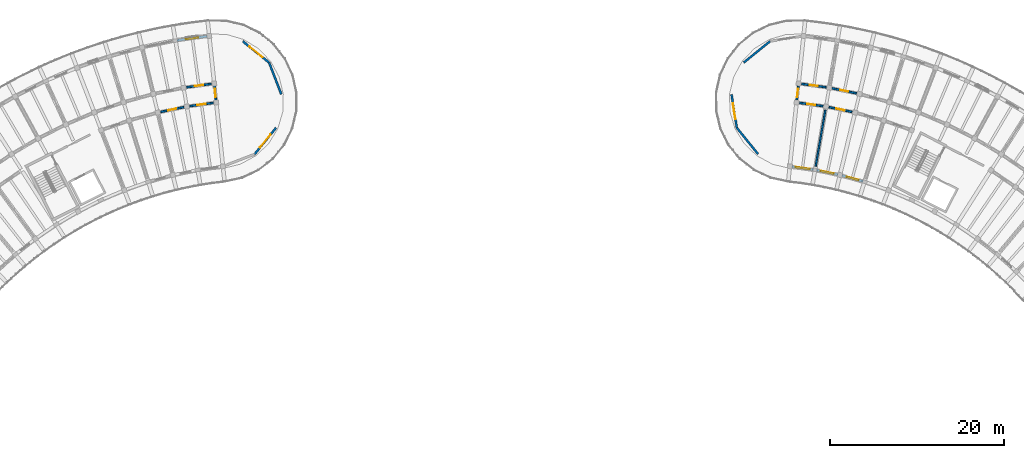
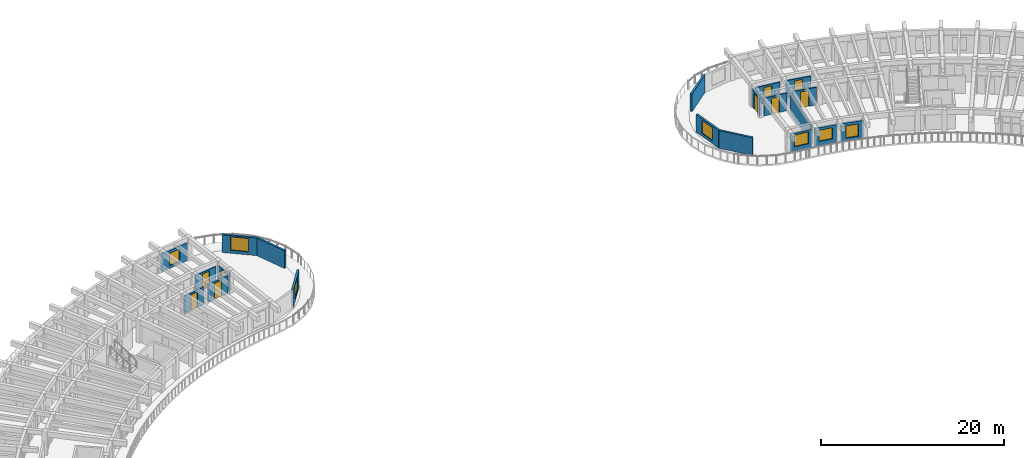
# One storey, part 50 of 81: 20 walls, 9 doors, 7 windows, 16 openings.
"""IFC4 building model written with IfcOpenShell, lengths in metres."""

from ifc_helpers import new_model, si_unit, direction, frame, frame_2d, origin, place, context, subcontext, project, spatial, rectangle, extrude, material, layer, layer_set, type_object, element, fill, save


model = new_model("IFC4")

# Units and contexts
model_context = context("Model", 3, precision=1e-05, world=origin(), true_north=direction((0.0, 1.0)))
body_context = subcontext(model_context, "Body", "Model", "MODEL_VIEW")
ifc_project = project(units=[si_unit("LENGTHUNIT", "METRE"), si_unit("AREAUNIT", "SQUARE_METRE"), si_unit("VOLUMEUNIT", "CUBIC_METRE"), si_unit("PLANEANGLEUNIT", "RADIAN"), si_unit("MASSUNIT", "GRAM", prefix="KILO")], contexts=[model_context])

# Site, building, storey
site_placement = place(None, origin())
site = spatial("IfcSite", under=ifc_project, at=site_placement, CompositionType="ELEMENT")
building_placement = place(site_placement, origin())
building = spatial("IfcBuilding", under=site, at=building_placement, Name="Tanwirah Colonnade Gardens", CompositionType="ELEMENT")
storey_placement = place(building_placement, frame((0.0, 0.0, 18.919921875)))
storey = spatial("IfcBuildingStorey", under=building, at=storey_placement, Name="L05", CompositionType="ELEMENT", Elevation=18.919921875)

# Wall, opening, window
ifc_material_1 = material(Name="Limestone architectural precast concrete C40/50", Category="masonry")
ifc_layer_1 = layer(ifc_material_1, 0.239990234375)
ifc_layer_set_1 = layer_set([ifc_layer_1], Name="Limestone architectural precast concrete C40/50")
wall_type_1 = type_object("IfcWallType", Name="EW-PC240", PredefinedType="SOLIDWALL", material=ifc_layer_set_1)
wall_1_placement = place(storey_placement, frame((134.0888671875, 102.674072265625, 0.0), z_axis=(0.0, 0.0, 1.0), x_axis=(-0.963901971286, 0.266257375017, 0.0)))
wall_1 = element("IfcWall", 1, at=wall_1_placement, inside=storey, type_object=wall_type_1, Name="Block B L05 IN Precast Facade Wall 15", PredefinedType="SOLIDWALL", context=body_context, shape_type="SweptSolid", body=[
    extrude(rectangle(XDim=2.525146484375, YDim=0.239990234375, at=frame_2d((1.2626953125, 0.0))), origin(), (0.0, 0.0, 1.0), 2.35498046875),
])
opening_1_placement = place(wall_1_placement, frame((0.5625, 0.0, 0.35009765625)))
opening_1 = element("IfcOpeningElement", 2, at=opening_1_placement, cuts=wall_1, Name="Opening WIN-U07", PredefinedType="OPENING", context=body_context, shape_type="SweptSolid", body=[
    extrude(rectangle(XDim=1.39990234375, YDim=1.635009765625, at=frame_2d((0.699951171875, 0.8173828125))), frame((0.0, 0.1298828125, 0.0), z_axis=(0.0, -1.0, 0.0), x_axis=(1.0, 0.0, 0.0)), (0.0, 0.0, 1.0), 0.260009765625),
])
ifc_material_2 = material(Name="Thermally broken bronze aluminium and solar low-E double glazing", Category="aluminium")
window_type_1 = type_object("IfcWindowType", Name="WIN-U07", PartitioningType="DOUBLE_PANEL_VERTICAL", PredefinedType="WINDOW", material=ifc_material_2)
window_1_placement = place(opening_1_placement, origin())
window_1 = element("IfcWindow", 3, at=window_1_placement, inside=storey, type_object=window_type_1, Name="Facade window B-L05-IN-15", OverallHeight=1.635009765625, OverallWidth=1.39990234375, PartitioningType="SINGLE_PANEL", PredefinedType="WINDOW", context=body_context, shape_type="SweptSolid", body=[
    extrude(rectangle(XDim=1.39990234375, YDim=1.635009765625, at=frame_2d((0.699951171875, 0.8173828125))), frame((0.0, 0.030029296875, 0.0), z_axis=(0.0, -1.0, 0.0), x_axis=(1.0, 0.0, 0.0)), (0.0, 0.0, 1.0), 0.06005859375),
])
fill(opening_1, window_1)

wall_2_placement = place(storey_placement, frame((131.1787109375, 103.46142578125, 0.0), z_axis=(0.0, 0.0, 1.0), x_axis=(-0.979353576928, 0.202154820272, 0.0)))
wall_2 = element("IfcWall", 4, at=wall_2_placement, inside=storey, type_object=wall_type_1, Name="Block B L05 IN Precast Facade Wall 16", PredefinedType="SOLIDWALL", context=body_context, shape_type="SweptSolid", body=[
    extrude(rectangle(XDim=2.525390625, YDim=0.239990234375, at=frame_2d((1.2626953125, 0.0))), origin(), (0.0, 0.0, 1.0), 2.35498046875),
])
opening_2_placement = place(wall_2_placement, frame((0.502685546875, 0.0, 0.550048828125)))
opening_2 = element("IfcOpeningElement", 5, at=opening_2_placement, cuts=wall_2, Name="Opening WIN-U10", PredefinedType="OPENING", context=body_context, shape_type="SweptSolid", body=[
    extrude(rectangle(XDim=1.52001953125, YDim=1.485107421875, at=frame_2d((0.760009765625, 0.74267578125))), frame((0.0, 0.1298828125, 0.0), z_axis=(0.0, -1.0, 0.0), x_axis=(1.0, 0.0, 0.0)), (0.0, 0.0, 1.0), 0.260009765625),
])
window_type_2 = type_object("IfcWindowType", Name="WIN-U10", PartitioningType="DOUBLE_PANEL_VERTICAL", PredefinedType="WINDOW", material=ifc_material_2)
window_2_placement = place(opening_2_placement, origin())
window_2 = element("IfcWindow", 6, at=window_2_placement, inside=storey, type_object=window_type_2, Name="Facade window B-L05-IN-16", OverallHeight=1.485107421875, OverallWidth=1.52001953125, PartitioningType="SINGLE_PANEL", PredefinedType="WINDOW", context=body_context, shape_type="SweptSolid", body=[
    extrude(rectangle(XDim=1.52001953125, YDim=1.485107421875, at=frame_2d((0.760009765625, 0.74267578125))), frame((0.0, 0.030029296875, 0.0), z_axis=(0.0, -1.0, 0.0), x_axis=(1.0, 0.0, 0.0)), (0.0, 0.0, 1.0), 0.06005859375),
])
fill(opening_2, window_2)

wall_3_placement = place(storey_placement, frame((128.390380859375, 104.0263671875, 0.0), z_axis=(0.0, 0.0, 1.0), x_axis=(-0.990545622952, 0.13718370476, 0.0)))
wall_3 = element("IfcWall", 7, at=wall_3_placement, inside=storey, type_object=wall_type_1, Name="Block B L05 IN Precast Facade Wall 17", PredefinedType="SOLIDWALL", context=body_context, shape_type="SweptSolid", body=[
    extrude(rectangle(XDim=2.525390625, YDim=0.239990234375, at=frame_2d((1.2626953125, 0.0))), origin(), (0.0, 0.0, 1.0), 2.35498046875),
])
opening_3_placement = place(wall_3_placement, frame((0.442626953125, 0.0, 0.550048828125)))
opening_3 = element("IfcOpeningElement", 8, at=opening_3_placement, cuts=wall_3, Name="Opening WIN-U13", PredefinedType="OPENING", context=body_context, shape_type="SweptSolid", body=[
    extrude(rectangle(XDim=1.639892578125, YDim=1.56005859375, at=frame_2d((0.81982421875, 0.780029296875))), frame((0.0, 0.1298828125, 0.0), z_axis=(0.0, -1.0, 0.0), x_axis=(1.0, 0.0, 0.0)), (0.0, 0.0, 1.0), 0.260009765625),
])
window_type_3 = type_object("IfcWindowType", Name="WIN-U13", PartitioningType="DOUBLE_PANEL_VERTICAL", PredefinedType="WINDOW", material=ifc_material_2)
window_3_placement = place(opening_3_placement, origin())
window_3 = element("IfcWindow", 9, at=window_3_placement, inside=storey, type_object=window_type_3, Name="Facade window B-L05-IN-17", OverallHeight=1.56005859375, OverallWidth=1.639892578125, PartitioningType="SINGLE_PANEL", PredefinedType="WINDOW", context=body_context, shape_type="SweptSolid", body=[
    extrude(rectangle(XDim=1.639892578125, YDim=1.56005859375, at=frame_2d((0.81982421875, 0.780029296875))), frame((0.0, 0.030029296875, 0.0), z_axis=(0.0, -1.0, 0.0), x_axis=(1.0, 0.0, 0.0)), (0.0, 0.0, 1.0), 0.06005859375),
])
fill(opening_3, window_3)

# Wall
wall_4_placement = place(storey_placement, frame((121.997802734375, 105.80712890625, 0.0), z_axis=(0.0, 0.0, 1.0), x_axis=(-0.629331205321, 0.777137204109, 0.0)))
element("IfcWall", 10, at=wall_4_placement, inside=storey, type_object=wall_type_1, Name="Block B L05 END Rounded End Wall 1", PredefinedType="SOLIDWALL", context=body_context, shape_type="SweptSolid", body=[
    extrude(rectangle(XDim=3.907958984375, YDim=0.239990234375, at=frame_2d((1.9541015625, 0.0))), origin(), (0.0, 0.0, 1.0), 2.35498046875),
])

# Wall, opening, window
wall_5_placement = place(storey_placement, frame((119.538330078125, 108.84423828125, 0.0), z_axis=(0.0, 0.0, 1.0), x_axis=(-0.15648221771, 0.987680776132, 0.0)))
wall_5 = element("IfcWall", 11, at=wall_5_placement, inside=storey, type_object=wall_type_1, Name="Block B L05 END Rounded End Wall 2", PredefinedType="SOLIDWALL", context=body_context, shape_type="SweptSolid", body=[
    extrude(rectangle(XDim=3.908203125, YDim=0.239990234375, at=frame_2d((1.9541015625, 0.0))), origin(), (0.0, 0.0, 1.0), 2.35498046875),
])
opening_4_placement = place(wall_5_placement, frame((1.029052734375, 0.0, 0.39990234375)))
opening_4 = element("IfcOpeningElement", 12, at=opening_4_placement, cuts=wall_5, Name="Opening WIN-END1", PredefinedType="OPENING", context=body_context, shape_type="SweptSolid", body=[
    extrude(rectangle(XDim=1.85009765625, YDim=1.719970703125, at=frame_2d((0.925048828125, 0.85986328125))), frame((0.0, 0.1298828125, 0.0), z_axis=(0.0, -1.0, 0.0), x_axis=(1.0, 0.0, 0.0)), (0.0, 0.0, 1.0), 0.260009765625),
])
window_type_4 = type_object("IfcWindowType", Name="WIN-END1", PartitioningType="TRIPLE_PANEL_VERTICAL", PredefinedType="WINDOW", material=ifc_material_2)
window_4_placement = place(opening_4_placement, origin())
window_4 = element("IfcWindow", 13, at=window_4_placement, inside=storey, type_object=window_type_4, Name="Rounded corner window B-L05-END-2", OverallHeight=1.719970703125, OverallWidth=1.85009765625, PartitioningType="SINGLE_PANEL", PredefinedType="WINDOW", context=body_context, shape_type="SweptSolid", body=[
    extrude(rectangle(XDim=1.85009765625, YDim=1.719970703125, at=frame_2d((0.925048828125, 0.85986328125))), frame((0.0, 0.030029296875, 0.0), z_axis=(0.0, -1.0, 0.0), x_axis=(1.0, 0.0, 0.0)), (0.0, 0.0, 1.0), 0.06005859375),
])
fill(opening_4, window_4)

# Wall
wall_6_placement = place(storey_placement, frame((120.327392578125, 116.35302734375, 0.0), z_axis=(0.0, 0.0, 1.0), x_axis=(0.777137204109, 0.629331205321, 0.0)))
element("IfcWall", 14, at=wall_6_placement, inside=storey, type_object=wall_type_1, Name="Block B L05 END Rounded End Wall 4", PredefinedType="SOLIDWALL", context=body_context, shape_type="SweptSolid", body=[
    extrude(rectangle(XDim=3.907958984375, YDim=0.239990234375, at=frame_2d((1.9541015625, 0.0))), origin(), (0.0, 0.0, 1.0), 2.35498046875),
])

# Wall, opening, window
ifc_layer_2 = layer(ifc_material_1, 0.2451171875)
ifc_layer_set_2 = layer_set([ifc_layer_2], Name="Limestone architectural precast concrete C40/50")
wall_type_2 = type_object("IfcWallType", Name="EW-PC245", PredefinedType="SOLIDWALL", material=ifc_layer_set_2)
wall_7_placement = place(storey_placement, frame((58.53271484375, 119.39013671875, 0.0), z_axis=(0.0, 0.0, 1.0), x_axis=(-0.990539718913, -0.137226328578, 0.0)))
wall_7 = element("IfcWall", 15, at=wall_7_placement, inside=storey, type_object=wall_type_2, Name="Block A L05 OUT Precast Facade Wall 0", PredefinedType="SOLIDWALL", context=body_context, shape_type="SweptSolid", body=[
    extrude(rectangle(XDim=3.520751953125, YDim=0.2451171875, at=frame_2d((1.76025390625, 0.0))), origin(), (0.0, 0.0, 1.0), 2.35498046875),
])
opening_5_placement = place(wall_7_placement, frame((1.060302734375, 0.0, 0.35009765625)))
opening_5 = element("IfcOpeningElement", 16, at=opening_5_placement, cuts=wall_7, Name="Opening WIN-T06", PredefinedType="OPENING", context=body_context, shape_type="SweptSolid", body=[
    extrude(rectangle(XDim=1.39990234375, YDim=1.64990234375, at=frame_2d((0.699951171875, 0.824951171875))), frame((0.0, 0.132568359375, 0.0), z_axis=(0.0, -1.0, 0.0), x_axis=(1.0, 0.0, 0.0)), (0.0, 0.0, 1.0), 0.26513671875),
])
window_type_5 = type_object("IfcWindowType", Name="WIN-T06", PartitioningType="DOUBLE_PANEL_VERTICAL", PredefinedType="WINDOW", material=ifc_material_2)
window_5_placement = place(opening_5_placement, origin())
window_5 = element("IfcWindow", 17, at=window_5_placement, inside=storey, type_object=window_type_5, Name="Facade window A-L05-OUT-00", OverallHeight=1.64990234375, OverallWidth=1.39990234375, PartitioningType="SINGLE_PANEL", PredefinedType="WINDOW", context=body_context, shape_type="SweptSolid", body=[
    extrude(rectangle(XDim=1.39990234375, YDim=1.64990234375, at=frame_2d((0.699951171875, 0.824951171875))), frame((0.0, 0.030029296875, 0.0), z_axis=(0.0, -1.0, 0.0), x_axis=(1.0, 0.0, 0.0)), (0.0, 0.0, 1.0), 0.06005859375),
])
fill(opening_5, window_5)

wall_8_placement = place(storey_placement, frame((62.635498046875, 118.8125, 0.0), z_axis=(0.0, 0.0, 1.0), x_axis=(0.777137204109, -0.629331205321, 0.0)))
wall_8 = element("IfcWall", 18, at=wall_8_placement, inside=storey, type_object=wall_type_2, Name="Block A L05 START Rounded End Wall 1", PredefinedType="SOLIDWALL", context=body_context, shape_type="SweptSolid", body=[
    extrude(rectangle(XDim=3.907958984375, YDim=0.2451171875, at=frame_2d((1.9541015625, 0.0))), origin(), (0.0, 0.0, 1.0), 2.35498046875),
])
opening_6_placement = place(wall_8_placement, frame((0.97900390625, 0.0, 0.39990234375)))
opening_6 = element("IfcOpeningElement", 19, at=opening_6_placement, cuts=wall_8, Name="Opening WIN-END2", PredefinedType="OPENING", context=body_context, shape_type="SweptSolid", body=[
    extrude(rectangle(XDim=1.949951171875, YDim=1.780029296875, at=frame_2d((0.97509765625, 0.89013671875))), frame((0.0, 0.132568359375, 0.0), z_axis=(0.0, -1.0, 0.0), x_axis=(1.0, 0.0, 0.0)), (0.0, 0.0, 1.0), 0.26513671875),
])
window_type_6 = type_object("IfcWindowType", Name="WIN-END2", PartitioningType="TRIPLE_PANEL_VERTICAL", PredefinedType="WINDOW", material=ifc_material_2)
window_6_placement = place(opening_6_placement, origin())
window_6 = element("IfcWindow", 20, at=window_6_placement, inside=storey, type_object=window_type_6, Name="Rounded corner window A-L05-START-1", OverallHeight=1.780029296875, OverallWidth=1.949951171875, PartitioningType="SINGLE_PANEL", PredefinedType="WINDOW", context=body_context, shape_type="SweptSolid", body=[
    extrude(rectangle(XDim=1.949951171875, YDim=1.780029296875, at=frame_2d((0.97509765625, 0.89013671875))), frame((0.0, 0.030029296875, 0.0), z_axis=(0.0, -1.0, 0.0), x_axis=(1.0, 0.0, 0.0)), (0.0, 0.0, 1.0), 0.06005859375),
])
fill(opening_6, window_6)

# Wall
wall_9_placement = place(storey_placement, frame((65.672607421875, 116.35302734375, 0.0), z_axis=(0.0, 0.0, 1.0), x_axis=(0.358376224971, -0.933577249817, 0.0)))
element("IfcWall", 21, at=wall_9_placement, inside=storey, type_object=wall_type_2, Name="Block A L05 START Rounded End Wall 2", PredefinedType="SOLIDWALL", context=body_context, shape_type="SweptSolid", body=[
    extrude(rectangle(XDim=3.908203125, YDim=0.2451171875, at=frame_2d((1.9541015625, 0.0))), origin(), (0.0, 0.0, 1.0), 2.35498046875),
])

# Wall, opening, window
wall_10_placement = place(storey_placement, frame((66.461669921875, 108.84423828125, 0.0), z_axis=(0.0, 0.0, 1.0), x_axis=(-0.629331205321, -0.777137204109, 0.0)))
wall_10 = element("IfcWall", 22, at=wall_10_placement, inside=storey, type_object=wall_type_2, Name="Block A L05 START Rounded End Wall 4", PredefinedType="SOLIDWALL", context=body_context, shape_type="SweptSolid", body=[
    extrude(rectangle(XDim=3.907958984375, YDim=0.2451171875, at=frame_2d((1.9541015625, 0.0))), origin(), (0.0, 0.0, 1.0), 2.35498046875),
])
opening_7_placement = place(wall_10_placement, frame((0.97900390625, 0.0, 0.39990234375)))
opening_7 = element("IfcOpeningElement", 23, at=opening_7_placement, cuts=wall_10, Name="Opening WIN-END2", PredefinedType="OPENING", context=body_context, shape_type="SweptSolid", body=[
    extrude(rectangle(XDim=1.949951171875, YDim=1.780029296875, at=frame_2d((0.97509765625, 0.89013671875))), frame((0.0, 0.132568359375, 0.0), z_axis=(0.0, -1.0, 0.0), x_axis=(1.0, 0.0, 0.0)), (0.0, 0.0, 1.0), 0.26513671875),
])
window_7_placement = place(opening_7_placement, origin())
window_7 = element("IfcWindow", 24, at=window_7_placement, inside=storey, type_object=window_type_6, Name="Rounded corner window A-L05-START-4", OverallHeight=1.780029296875, OverallWidth=1.949951171875, PartitioningType="SINGLE_PANEL", PredefinedType="WINDOW", context=body_context, shape_type="SweptSolid", body=[
    extrude(rectangle(XDim=1.949951171875, YDim=1.780029296875, at=frame_2d((0.97509765625, 0.89013671875))), frame((0.0, 0.030029296875, 0.0), z_axis=(0.0, -1.0, 0.0), x_axis=(1.0, 0.0, 0.0)), (0.0, 0.0, 1.0), 0.06005859375),
])
fill(opening_7, window_7)

# Wall, opening, door
ifc_material_3 = material(Name="Precast concrete C40/50", Category="concrete")
ifc_layer_3 = layer(ifc_material_3, 0.205078125)
ifc_layer_set_3 = layer_set([ifc_layer_3], Name="Precast concrete C40/50")
wall_type_3 = type_object("IfcWallType", Name="IW-CORR205", PredefinedType="PARTITIONING", material=ifc_layer_set_3)
wall_11_placement = place(storey_placement, frame((59.003662109375, 113.90576171875, 0.0), z_axis=(0.0, 0.0, 1.0), x_axis=(-0.990544162976, -0.137194246211, 0.0)))
wall_11 = element("IfcWall", 25, at=wall_11_placement, inside=storey, type_object=wall_type_3, Name="Block A L05 OUT Corridor Wall 0", PredefinedType="PARTITIONING", context=body_context, shape_type="SweptSolid", body=[
    extrude(rectangle(XDim=2.86328125, YDim=0.205078125, at=frame_2d((1.431640625, 0.0))), origin(), (0.0, 0.0, 1.0), 2.3701171875),
])
opening_8_placement = place(wall_11_placement, frame((0.946533203125, 0.0, 0.0)))
opening_8 = element("IfcOpeningElement", 26, at=opening_8_placement, cuts=wall_11, Name="Opening L05-AD431", PredefinedType="OPENING", context=body_context, shape_type="SweptSolid", body=[
    extrude(rectangle(XDim=0.969970703125, YDim=2.14990234375, at=frame_2d((0.48486328125, 1.074951171875))), frame((0.0, 0.112548828125, 0.0), z_axis=(0.0, -1.0, 0.0), x_axis=(1.0, 0.0, 0.0)), (0.0, 0.0, 1.0), 0.22509765625),
])
ifc_material_4 = material(Name="Solid oak fire-resisting apartment entrance door")
door_type_1 = type_object("IfcDoorType", Name="ID-FLT097", OperationType="NOTDEFINED", PredefinedType="DOOR", material=ifc_material_4)
door_1_placement = place(opening_8_placement, origin())
door_1 = element("IfcDoor", 27, at=door_1_placement, inside=storey, type_object=door_type_1, Name="Apartment corridor door L05-AD431", OperationType="SINGLE_SWING_RIGHT", OverallHeight=2.14990234375, OverallWidth=0.969970703125, PredefinedType="DOOR", context=body_context, shape_type="SweptSolid", body=[
    extrude(rectangle(XDim=0.969970703125, YDim=2.14990234375, at=frame_2d((0.48486328125, 1.074951171875))), frame((0.0, 0.02490234375, 0.0), z_axis=(0.0, -1.0, 0.0), x_axis=(1.0, 0.0, 0.0)), (0.0, 0.0, 1.0), 0.050048828125),
])
fill(opening_8, door_1)

wall_12_placement = place(storey_placement, frame((59.2333984375, 111.718017578125, 0.0), z_axis=(0.0, 0.0, 1.0), x_axis=(-0.990535404475, -0.137257467855, 0.0)))
wall_12 = element("IfcWall", 28, at=wall_12_placement, inside=storey, type_object=wall_type_3, Name="Block A L05 IN Corridor Wall 0", PredefinedType="PARTITIONING", context=body_context, shape_type="SweptSolid", body=[
    extrude(rectangle(XDim=2.7177734375, YDim=0.205078125, at=frame_2d((1.35888671875, 0.0))), origin(), (0.0, 0.0, 1.0), 2.3701171875),
])
opening_9_placement = place(wall_12_placement, frame((0.8740234375, 0.0, 0.0)))
opening_9 = element("IfcOpeningElement", 29, at=opening_9_placement, cuts=wall_12, Name="Opening L05-AD432", PredefinedType="OPENING", context=body_context, shape_type="SweptSolid", body=[
    extrude(rectangle(XDim=0.969970703125, YDim=2.14990234375, at=frame_2d((0.48486328125, 1.074951171875))), frame((0.0, 0.112548828125, 0.0), z_axis=(0.0, -1.0, 0.0), x_axis=(1.0, 0.0, 0.0)), (0.0, 0.0, 1.0), 0.22509765625),
])
door_2_placement = place(opening_9_placement, origin())
door_2 = element("IfcDoor", 30, at=door_2_placement, inside=storey, type_object=door_type_1, Name="Apartment corridor door L05-AD432", OperationType="SINGLE_SWING_LEFT", OverallHeight=2.14990234375, OverallWidth=0.969970703125, PredefinedType="DOOR", context=body_context, shape_type="SweptSolid", body=[
    extrude(rectangle(XDim=0.969970703125, YDim=2.14990234375, at=frame_2d((0.48486328125, 1.074951171875))), frame((0.0, 0.02490234375, 0.0), z_axis=(0.0, -1.0, 0.0), x_axis=(1.0, 0.0, 0.0)), (0.0, 0.0, 1.0), 0.050048828125),
])
fill(opening_9, door_2)

wall_13_placement = place(storey_placement, frame((55.851806640625, 111.22607421875, 0.0), z_axis=(0.0, 0.0, 1.0), x_axis=(-0.979349423541, -0.202174940608, 0.0)))
wall_13 = element("IfcWall", 31, at=wall_13_placement, inside=storey, type_object=wall_type_3, Name="Block A L05 IN Corridor Wall 1", PredefinedType="PARTITIONING", context=body_context, shape_type="SweptSolid", body=[
    extrude(rectangle(XDim=2.71826171875, YDim=0.205078125, at=frame_2d((1.359130859375, 0.0))), origin(), (0.0, 0.0, 1.0), 2.3701171875),
])
opening_10_placement = place(wall_13_placement, frame((0.884033203125, 0.0, 0.0)))
opening_10 = element("IfcOpeningElement", 32, at=opening_10_placement, cuts=wall_13, Name="Opening L05-AD434", PredefinedType="OPENING", context=body_context, shape_type="SweptSolid", body=[
    extrude(rectangle(XDim=0.949951171875, YDim=2.1298828125, at=frame_2d((0.47509765625, 1.06494140625))), frame((0.0, 0.112548828125, 0.0), z_axis=(0.0, -1.0, 0.0), x_axis=(1.0, 0.0, 0.0)), (0.0, 0.0, 1.0), 0.22509765625),
])
door_type_2 = type_object("IfcDoorType", Name="ID-FLT095", OperationType="NOTDEFINED", PredefinedType="DOOR", material=ifc_material_4)
door_3_placement = place(opening_10_placement, origin())
door_3 = element("IfcDoor", 33, at=door_3_placement, inside=storey, type_object=door_type_2, Name="Apartment corridor door L05-AD434", OperationType="SINGLE_SWING_RIGHT", OverallHeight=2.1298828125, OverallWidth=0.949951171875, PredefinedType="DOOR", context=body_context, shape_type="SweptSolid", body=[
    extrude(rectangle(XDim=0.949951171875, YDim=2.1298828125, at=frame_2d((0.47509765625, 1.06494140625))), frame((0.0, 0.02490234375, 0.0), z_axis=(0.0, -1.0, 0.0), x_axis=(1.0, 0.0, 0.0)), (0.0, 0.0, 1.0), 0.050048828125),
])
fill(opening_10, door_3)

wall_14_placement = place(storey_placement, frame((59.574951171875, 111.815673828125, 0.0), z_axis=(0.0, 0.0, 1.0), x_axis=(-0.104509292252, 0.994523910136, 0.0)))
wall_14 = element("IfcWall", 34, at=wall_14_placement, inside=storey, type_object=wall_type_3, Name="Block A L05 CS Corner Suite Corridor Wall", PredefinedType="PARTITIONING", context=body_context, shape_type="SweptSolid", body=[
    extrude(rectangle(XDim=2.10009765625, YDim=0.205078125, at=frame_2d((1.050048828125, 0.0))), origin(), (0.0, 0.0, 1.0), 2.3701171875),
])
opening_11_placement = place(wall_14_placement, frame((0.570068359375, 0.0, 0.0)))
opening_11 = element("IfcOpeningElement", 35, at=opening_11_placement, cuts=wall_14, Name="Opening L05-CD470", PredefinedType="OPENING", context=body_context, shape_type="SweptSolid", body=[
    extrude(rectangle(XDim=0.949951171875, YDim=2.1298828125, at=frame_2d((0.47509765625, 1.06494140625))), frame((0.0, 0.112548828125, 0.0), z_axis=(0.0, -1.0, 0.0), x_axis=(1.0, 0.0, 0.0)), (0.0, 0.0, 1.0), 0.22509765625),
])
door_4_placement = place(opening_11_placement, origin())
door_4 = element("IfcDoor", 36, at=door_4_placement, inside=storey, type_object=door_type_2, Name="Corner suite entrance door L05-CD470", OperationType="SINGLE_SWING_LEFT", OverallHeight=2.1298828125, OverallWidth=0.949951171875, PredefinedType="DOOR", context=body_context, shape_type="SweptSolid", body=[
    extrude(rectangle(XDim=0.949951171875, YDim=2.1298828125, at=frame_2d((0.47509765625, 1.06494140625))), frame((0.0, 0.02490234375, 0.0), z_axis=(0.0, -1.0, 0.0), x_axis=(1.0, 0.0, 0.0)), (0.0, 0.0, 1.0), 0.050048828125),
])
fill(opening_11, door_4)

wall_15_placement = place(storey_placement, frame((133.325927734375, 112.815185546875, 0.0), z_axis=(0.0, 0.0, 1.0), x_axis=(-0.979348418612, 0.202179808492, 0.0)))
wall_15 = element("IfcWall", 37, at=wall_15_placement, inside=storey, type_object=wall_type_3, Name="Block B L05 OUT Corridor Wall 16", PredefinedType="PARTITIONING", context=body_context, shape_type="SweptSolid", body=[
    extrude(rectangle(XDim=2.863037109375, YDim=0.205078125, at=frame_2d((1.431640625, 0.0))), origin(), (0.0, 0.0, 1.0), 2.3701171875),
])
opening_12_placement = place(wall_15_placement, frame((0.95654296875, 0.0, 0.0)))
opening_12 = element("IfcOpeningElement", 38, at=opening_12_placement, cuts=wall_15, Name="Opening L05-AD1036", PredefinedType="OPENING", context=body_context, shape_type="SweptSolid", body=[
    extrude(rectangle(XDim=0.949951171875, YDim=2.1298828125, at=frame_2d((0.47509765625, 1.06494140625))), frame((0.0, 0.112548828125, 0.0), z_axis=(0.0, -1.0, 0.0), x_axis=(1.0, 0.0, 0.0)), (0.0, 0.0, 1.0), 0.22509765625),
])
door_5_placement = place(opening_12_placement, origin())
door_5 = element("IfcDoor", 39, at=door_5_placement, inside=storey, type_object=door_type_2, Name="Apartment corridor door L05-AD1036", OperationType="SINGLE_SWING_RIGHT", OverallHeight=2.1298828125, OverallWidth=0.949951171875, PredefinedType="DOOR", context=body_context, shape_type="SweptSolid", body=[
    extrude(rectangle(XDim=0.949951171875, YDim=2.1298828125, at=frame_2d((0.47509765625, 1.06494140625))), frame((0.0, 0.02490234375, 0.0), z_axis=(0.0, -1.0, 0.0), x_axis=(1.0, 0.0, 0.0)), (0.0, 0.0, 1.0), 0.050048828125),
])
fill(opening_12, door_5)

wall_16_placement = place(storey_placement, frame((132.810302734375, 110.676513671875, 0.0), z_axis=(0.0, 0.0, 1.0), x_axis=(-0.979349423541, 0.202174940608, 0.0)))
wall_16 = element("IfcWall", 40, at=wall_16_placement, inside=storey, type_object=wall_type_3, Name="Block B L05 IN Corridor Wall 16", PredefinedType="PARTITIONING", context=body_context, shape_type="SweptSolid", body=[
    extrude(rectangle(XDim=2.71826171875, YDim=0.205078125, at=frame_2d((1.359130859375, 0.0))), origin(), (0.0, 0.0, 1.0), 2.3701171875),
])
opening_13_placement = place(wall_16_placement, frame((0.884033203125, 0.0, 0.0)))
opening_13 = element("IfcOpeningElement", 41, at=opening_13_placement, cuts=wall_16, Name="Opening L05-AD1037", PredefinedType="OPENING", context=body_context, shape_type="SweptSolid", body=[
    extrude(rectangle(XDim=0.949951171875, YDim=2.1298828125, at=frame_2d((0.47509765625, 1.06494140625))), frame((0.0, 0.112548828125, 0.0), z_axis=(0.0, -1.0, 0.0), x_axis=(1.0, 0.0, 0.0)), (0.0, 0.0, 1.0), 0.22509765625),
])
door_6_placement = place(opening_13_placement, origin())
door_6 = element("IfcDoor", 42, at=door_6_placement, inside=storey, type_object=door_type_2, Name="Apartment corridor door L05-AD1037", OperationType="SINGLE_SWING_LEFT", OverallHeight=2.1298828125, OverallWidth=0.949951171875, PredefinedType="DOOR", context=body_context, shape_type="SweptSolid", body=[
    extrude(rectangle(XDim=0.949951171875, YDim=2.1298828125, at=frame_2d((0.47509765625, 1.06494140625))), frame((0.0, 0.02490234375, 0.0), z_axis=(0.0, -1.0, 0.0), x_axis=(1.0, 0.0, 0.0)), (0.0, 0.0, 1.0), 0.050048828125),
])
fill(opening_13, door_6)

wall_17_placement = place(storey_placement, frame((129.83251953125, 113.512939453125, 0.0), z_axis=(0.0, 0.0, 1.0), x_axis=(-0.990544162976, 0.137194246211, 0.0)))
wall_17 = element("IfcWall", 43, at=wall_17_placement, inside=storey, type_object=wall_type_3, Name="Block B L05 OUT Corridor Wall 17", PredefinedType="PARTITIONING", context=body_context, shape_type="SweptSolid", body=[
    extrude(rectangle(XDim=2.86328125, YDim=0.205078125, at=frame_2d((1.431640625, 0.0))), origin(), (0.0, 0.0, 1.0), 2.3701171875),
])
opening_14_placement = place(wall_17_placement, frame((0.966552734375, 0.0, 0.0)))
opening_14 = element("IfcOpeningElement", 44, at=opening_14_placement, cuts=wall_17, Name="Opening L05-AD1039", PredefinedType="OPENING", context=body_context, shape_type="SweptSolid", body=[
    extrude(rectangle(XDim=0.929931640625, YDim=2.1201171875, at=frame_2d((0.46484375, 1.06005859375))), frame((0.0, 0.112548828125, 0.0), z_axis=(0.0, -1.0, 0.0), x_axis=(1.0, 0.0, 0.0)), (0.0, 0.0, 1.0), 0.22509765625),
])
door_type_3 = type_object("IfcDoorType", Name="ID-FLT093", OperationType="NOTDEFINED", PredefinedType="DOOR", material=ifc_material_4)
door_7_placement = place(opening_14_placement, origin())
door_7 = element("IfcDoor", 45, at=door_7_placement, inside=storey, type_object=door_type_3, Name="Apartment corridor door L05-AD1039", OperationType="SINGLE_SWING_LEFT", OverallHeight=2.1201171875, OverallWidth=0.929931640625, PredefinedType="DOOR", context=body_context, shape_type="SweptSolid", body=[
    extrude(rectangle(XDim=0.929931640625, YDim=2.1201171875, at=frame_2d((0.46484375, 1.06005859375))), frame((0.0, 0.02490234375, 0.0), z_axis=(0.0, -1.0, 0.0), x_axis=(1.0, 0.0, 0.0)), (0.0, 0.0, 1.0), 0.050048828125),
])
fill(opening_14, door_7)

wall_18_placement = place(storey_placement, frame((129.458740234375, 111.344970703125, 0.0), z_axis=(0.0, 0.0, 1.0), x_axis=(-0.990535404475, 0.137257467855, 0.0)))
wall_18 = element("IfcWall", 46, at=wall_18_placement, inside=storey, type_object=wall_type_3, Name="Block B L05 IN Corridor Wall 17", PredefinedType="PARTITIONING", context=body_context, shape_type="SweptSolid", body=[
    extrude(rectangle(XDim=2.7177734375, YDim=0.205078125, at=frame_2d((1.35888671875, 0.0))), origin(), (0.0, 0.0, 1.0), 2.3701171875),
])
opening_15_placement = place(wall_18_placement, frame((0.89404296875, 0.0, 0.0)))
opening_15 = element("IfcOpeningElement", 47, at=opening_15_placement, cuts=wall_18, Name="Opening L05-AD1040", PredefinedType="OPENING", context=body_context, shape_type="SweptSolid", body=[
    extrude(rectangle(XDim=0.929931640625, YDim=2.1201171875, at=frame_2d((0.46484375, 1.06005859375))), frame((0.0, 0.112548828125, 0.0), z_axis=(0.0, -1.0, 0.0), x_axis=(1.0, 0.0, 0.0)), (0.0, 0.0, 1.0), 0.22509765625),
])
door_8_placement = place(opening_15_placement, origin())
door_8 = element("IfcDoor", 48, at=door_8_placement, inside=storey, type_object=door_type_3, Name="Apartment corridor door L05-AD1040", OperationType="SINGLE_SWING_RIGHT", OverallHeight=2.1201171875, OverallWidth=0.929931640625, PredefinedType="DOOR", context=body_context, shape_type="SweptSolid", body=[
    extrude(rectangle(XDim=0.929931640625, YDim=2.1201171875, at=frame_2d((0.46484375, 1.06005859375))), frame((0.0, 0.02490234375, 0.0), z_axis=(0.0, -1.0, 0.0), x_axis=(1.0, 0.0, 0.0)), (0.0, 0.0, 1.0), 0.050048828125),
])
fill(opening_15, door_8)

wall_19_placement = place(storey_placement, frame((126.425048828125, 111.815673828125, 0.0), z_axis=(0.0, 0.0, 1.0), x_axis=(0.104509292252, 0.994523910136, 0.0)))
wall_19 = element("IfcWall", 49, at=wall_19_placement, inside=storey, type_object=wall_type_3, Name="Block B L05 CE Corner Suite Corridor Wall", PredefinedType="PARTITIONING", context=body_context, shape_type="SweptSolid", body=[
    extrude(rectangle(XDim=2.10009765625, YDim=0.205078125, at=frame_2d((1.050048828125, 0.0))), origin(), (0.0, 0.0, 1.0), 2.3701171875),
])
opening_16_placement = place(wall_19_placement, frame((0.570068359375, 0.0, 0.0)))
opening_16 = element("IfcOpeningElement", 50, at=opening_16_placement, cuts=wall_19, Name="Opening L05-CD1042", PredefinedType="OPENING", context=body_context, shape_type="SweptSolid", body=[
    extrude(rectangle(XDim=0.949951171875, YDim=2.1298828125, at=frame_2d((0.47509765625, 1.06494140625))), frame((0.0, 0.112548828125, 0.0), z_axis=(0.0, -1.0, 0.0), x_axis=(1.0, 0.0, 0.0)), (0.0, 0.0, 1.0), 0.22509765625),
])
door_9_placement = place(opening_16_placement, origin())
door_9 = element("IfcDoor", 51, at=door_9_placement, inside=storey, type_object=door_type_2, Name="Corner suite entrance door L05-CD1042", OperationType="SINGLE_SWING_RIGHT", OverallHeight=2.1298828125, OverallWidth=0.949951171875, PredefinedType="DOOR", context=body_context, shape_type="SweptSolid", body=[
    extrude(rectangle(XDim=0.949951171875, YDim=2.1298828125, at=frame_2d((0.47509765625, 1.06494140625))), frame((0.0, 0.02490234375, 0.0), z_axis=(0.0, -1.0, 0.0), x_axis=(1.0, 0.0, 0.0)), (0.0, 0.0, 1.0), 0.050048828125),
])
fill(opening_16, door_9)

# Wall
ifc_layer_4 = layer(ifc_material_3, 0.18505859375)
ifc_layer_set_4 = layer_set([ifc_layer_4], Name="Precast concrete C40/50")
wall_type_4 = type_object("IfcWallType", Name="IW-DEM185", PredefinedType="PARTITIONING", material=ifc_layer_set_4)
wall_20_placement = place(storey_placement, frame((128.61669921875, 104.3984375, 0.0), z_axis=(0.0, 0.0, 1.0), x_axis=(0.169825160084, 0.985474208187, 0.0)))
element("IfcWall", 52, at=wall_20_placement, inside=storey, type_object=wall_type_4, Name="Block B L05 Inner Radial Partition 16", PredefinedType="PARTITIONING", context=body_context, shape_type="SweptSolid", body=[
    extrude(rectangle(XDim=6.60009765625, YDim=0.18505859375, at=frame_2d((3.300048828125, 0.0))), origin(), (0.0, 0.0, 1.0), 2.3701171875),
])

save(model, "model.ifc")
